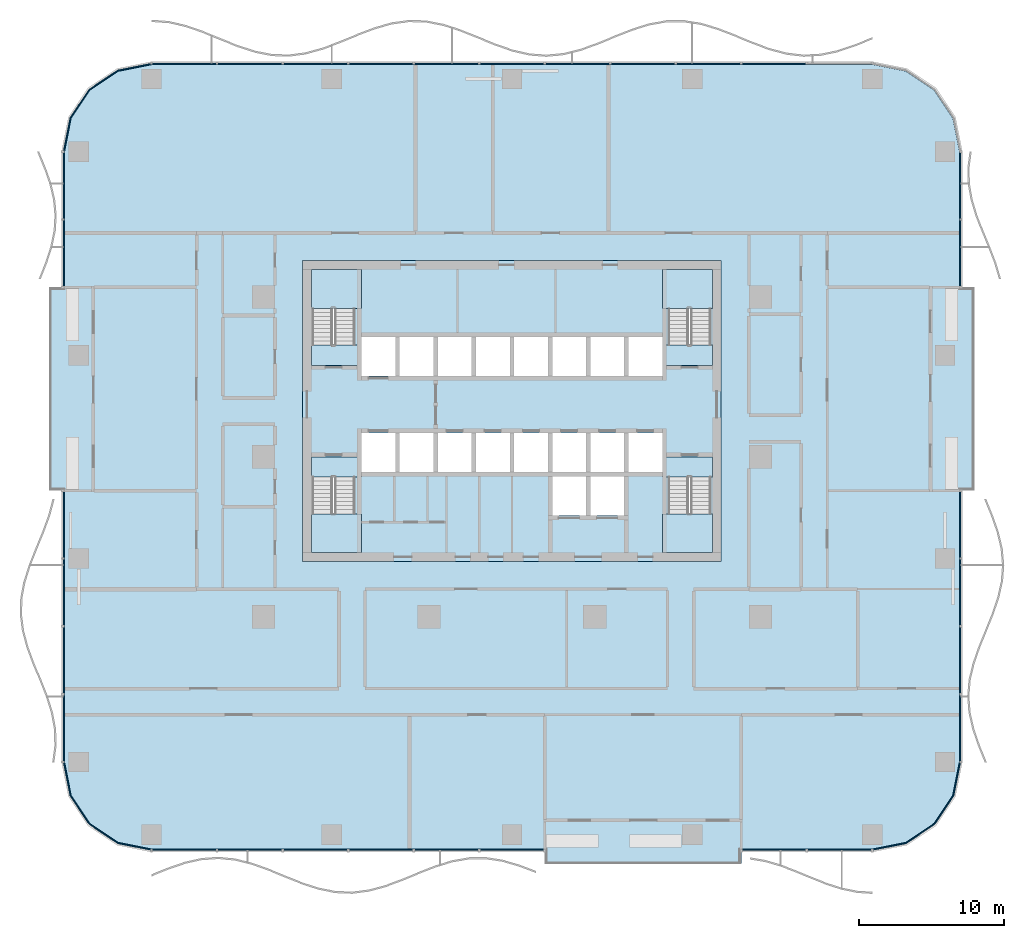
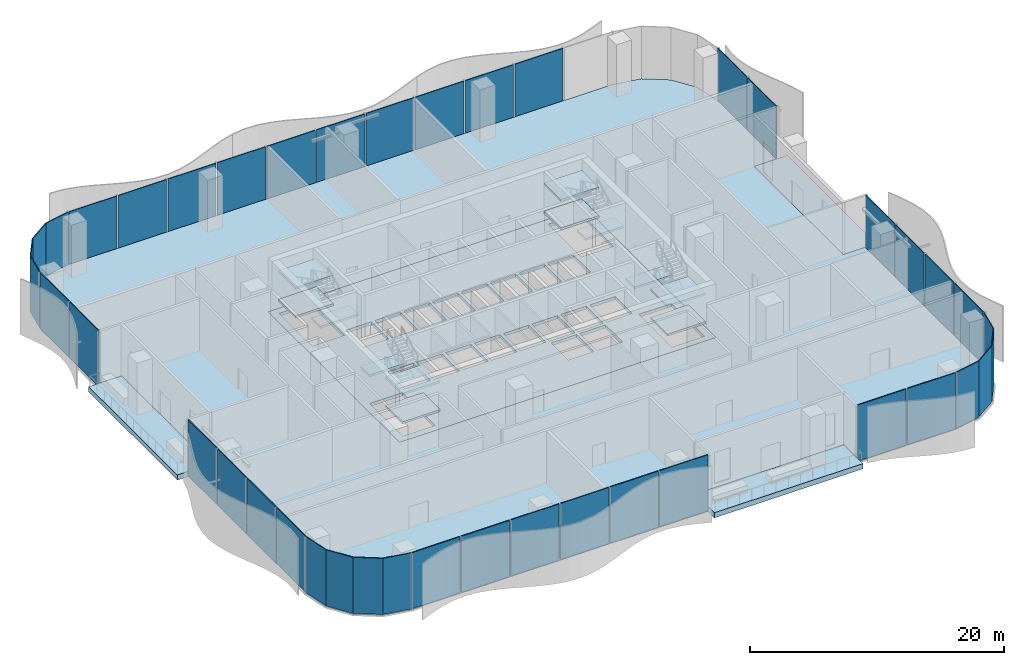
# One storey, part 6 of 20: 33 plates, 17 slabs, 14 elements without a shape of their own.
"""IFC4 building model written with IfcOpenShell, lengths in metres."""

import ifcopenshell
import ifcopenshell.guid

model = None  # the IFC model being written
_history = None  # IfcOwnerHistory: only IFC2X3 demands one
_inside = {}  # id of a spatial element -> (the spatial element, [elements in it])
_under = {}  # id of a project, library or spatial element -> (it, [spatial elements below it])
_declared = {}  # id of a project -> (the project, [libraries it declares])
_typed = {}  # id of a type object -> (the type object, [elements of that type])
_made_of = {}  # id of a material, layer set ... -> (it, [elements and type objects made of it])


def new_model(schema):
    """Start an empty IFC model of exactly this schema.

    Asked for "IFC4X3", IfcOpenShell would pick the latest addendum, in which some entities
    have other attributes; the version numbers below select the first issue.
    IFC2X3 requires an IfcOwnerHistory on every rooted entity: one is made here for all.
    """
    global model, _history
    if schema == "IFC4X3":
        model = ifcopenshell.file(schema_version=(4, 3, 0, 0))
    else:
        model = ifcopenshell.file(schema=schema)
    _inside.clear()
    _under.clear()
    _declared.clear()
    _typed.clear()
    _made_of.clear()
    _history = None
    if model.schema == "IFC2X3":
        org = make("IfcOrganization", Name="unknown")
        user = make(
            "IfcPersonAndOrganization",
            ThePerson=make("IfcPerson", FamilyName="unknown"),
            TheOrganization=org,
        )
        app = make(
            "IfcApplication",
            ApplicationDeveloper=org,
            Version="unknown",
            ApplicationFullName="unknown",
            ApplicationIdentifier="unknown",
        )
        _history = make(
            "IfcOwnerHistory",
            OwningUser=user,
            OwningApplication=app,
            ChangeAction="ADDED",
            CreationDate=0,
        )
    return model


def make(cls, **values):
    """One entity of the class cls with the attributes given. An attribute that is None is left unset."""
    return model.create_entity(
        cls, **{name: value for name, value in values.items() if value is not None}
    )


def rooted(cls, **values):
    """An entity with a GlobalId (a new one), such as an element, a storey or a relation."""
    return make(cls, GlobalId=ifcopenshell.guid.new(), OwnerHistory=_history, **values)


def si_unit(unit_type, name, prefix=None):
    """IfcSIUnit, for example si_unit("LENGTHUNIT", "METRE", prefix="MILLI")."""
    return make("IfcSIUnit", UnitType=unit_type, Prefix=prefix, Name=name)


def assignment(units):
    """IfcUnitAssignment: the units of a project."""
    return None if units is None else make("IfcUnitAssignment", Units=units)


def point(xyz):
    """IfcCartesianPoint."""
    return None if xyz is None else make("IfcCartesianPoint", Coordinates=xyz)


def direction(xyz):
    """IfcDirection."""
    return None if xyz is None else make("IfcDirection", DirectionRatios=xyz)


def frame(location, z_axis=None, x_axis=None):
    """IfcAxis2Placement3D, a coordinate frame: its origin and axes. An axis left out is left unset."""
    return make(
        "IfcAxis2Placement3D",
        Location=point(location),
        Axis=direction(z_axis),
        RefDirection=direction(x_axis),
    )


def frame_2d(location, x_axis=None):
    """IfcAxis2Placement2D, a coordinate frame in the plane: its origin and x axis."""
    return make(
        "IfcAxis2Placement2D", Location=point(location), RefDirection=direction(x_axis)
    )


def origin():
    """The frame at (0, 0, 0) with its axes left unset."""
    return frame((0.0, 0.0, 0.0))


def origin_2d():
    """The frame at (0, 0) in the plane with its x axis left unset."""
    return frame_2d((0.0, 0.0))


def place(relative_to, where):
    """IfcLocalPlacement: puts the frame where relative to a parent placement (None: the world)."""
    return make(
        "IfcLocalPlacement", PlacementRelTo=relative_to, RelativePlacement=where
    )


def context(
    kind, dimensions, precision=None, world=None, true_north=None, identifier=None
):
    """IfcGeometricRepresentationContext, for example the 3D "Model" context."""
    return make(
        "IfcGeometricRepresentationContext",
        ContextIdentifier=identifier,
        ContextType=kind,
        CoordinateSpaceDimension=dimensions,
        Precision=precision,
        WorldCoordinateSystem=world,
        TrueNorth=true_north,
    )


def subcontext(parent, identifier, kind, view, scale=None):
    """IfcGeometricRepresentationSubContext, for example "Body" below "Model"."""
    return make(
        "IfcGeometricRepresentationSubContext",
        ContextIdentifier=identifier,
        ContextType=kind,
        ParentContext=parent,
        TargetScale=scale,
        TargetView=view,
    )


def project(units=None, contexts=None):
    """IfcProject with its units and contexts."""
    return rooted(
        "IfcProject",
        Name="project",
        RepresentationContexts=contexts,
        UnitsInContext=assignment(units),
    )


def spatial(cls, under=None, at=None, **own):
    """A site, building, storey or space (cls), placed at a placement, below another one or the project."""
    s = rooted(cls, ObjectPlacement=at, **own)
    if under is not None:
        _under.setdefault(under.id(), (under, []))[1].append(s)
    return s


def polyline(points):
    """IfcPolyline through the points."""
    return make("IfcPolyline", Points=[point(p) for p in points])


def profile(cls, at=None, kind="AREA", **sizes):
    """A parametric profile (cls). Its sizes go by their IFC names, for example OverallWidth=200.0."""
    return make(cls, ProfileType=kind, Position=at, **sizes)


def rectangle(**sizes):
    """IfcRectangleProfileDef."""
    return profile("IfcRectangleProfileDef", **sizes)


def outline(outer, holes=None, kind="AREA"):
    """IfcArbitraryClosedProfileDef: a profile drawn as a closed curve; with holes, ...WithVoids."""
    if holes is None:
        return make("IfcArbitraryClosedProfileDef", ProfileType=kind, OuterCurve=outer)
    return make(
        "IfcArbitraryProfileDefWithVoids",
        ProfileType=kind,
        OuterCurve=outer,
        InnerCurves=holes,
    )


def extrude(swept, where, along, depth):
    """IfcExtrudedAreaSolid: the profile swept, set in the frame where, extruded along a direction by depth."""
    return make(
        "IfcExtrudedAreaSolid",
        SweptArea=swept,
        Position=where,
        ExtrudedDirection=direction(along),
        Depth=depth,
    )


def shape(context_of_items, identifier, shape_type, items):
    """IfcShapeRepresentation: the items that make up one representation, for example the "Body"."""
    return make(
        "IfcShapeRepresentation",
        ContextOfItems=context_of_items,
        RepresentationIdentifier=identifier,
        RepresentationType=shape_type,
        Items=items,
    )


def material(Name=None, Category=None):
    """IfcMaterial."""
    return make("IfcMaterial", Name=Name, Category=Category)


def layer(
    of_material, thickness, ventilated=None, Name=None, Category=None, Priority=None
):
    """IfcMaterialLayer: one layer of a wall or slab, of a material (None: an air gap)."""
    return make(
        "IfcMaterialLayer",
        Material=of_material,
        LayerThickness=thickness,
        IsVentilated=ventilated,
        Name=Name,
        Category=Category,
        Priority=Priority,
    )


def layer_set(layers, Name=None):
    """IfcMaterialLayerSet."""
    return make("IfcMaterialLayerSet", MaterialLayers=layers, LayerSetName=Name)


def made_of(thing, what):
    """Note that an element or type object is made of a material, layer set ...; save() writes the relation."""
    if what is not None:
        _made_of.setdefault(what.id(), (what, []))[1].append(thing)
    return thing


def type_object(cls, material=None, **own):
    """A type object (cls), such as IfcWallType, which elements share."""
    return made_of(rooted(cls, **own), material)


def element(
    cls,
    number,
    at=None,
    inside=None,
    cuts=None,
    type_object=None,
    material=None,
    context=None,
    identifier="Body",
    shape_type=None,
    held_by="IfcProductDefinitionShape",
    body=None,
    shapes=None,
    **own,
):
    """One element of the class cls, such as IfcWall. Its Tag is "e" and its number.

    at: its placement. inside: the storey or other place that contains it. cuts: it is an
    opening in that element (IfcRelVoidsElement). A single representation is given by context,
    identifier, shape_type and body (its items); several are given by shapes. held_by: the class
    of the entity that holds the representations. save() writes the other relations.
    """
    e = rooted(cls, Tag="e%d" % number, ObjectPlacement=at, **own)
    if body is not None:
        shapes = [shape(context, identifier, shape_type, body)]
    if shapes is not None:
        e.Representation = make(held_by, Representations=shapes)
    if inside is not None:
        _inside.setdefault(inside.id(), (inside, []))[1].append(e)
    if cuts is not None:
        rooted(
            "IfcRelVoidsElement", RelatingBuildingElement=cuts, RelatedOpeningElement=e
        )
    if type_object is not None:
        _typed.setdefault(type_object.id(), (type_object, []))[1].append(e)
    return made_of(e, material)


def aggregate(whole, parts):
    """IfcRelAggregates: a whole, such as a stair, and the parts it consists of."""
    return rooted("IfcRelAggregates", RelatingObject=whole, RelatedObjects=parts)


def save(model, path):
    """Write the relations noted so far, then the file.

    IfcRelAggregates (storeys below a building ...), IfcRelContainedInSpatialStructure (elements
    in a storey), IfcRelDefinesByType, IfcRelAssociatesMaterial and IfcRelDeclares: one each for
    every whole, place, type object, material and project.
    """
    for whole, parts in _under.values():
        aggregate(whole, parts)
    for where, things in _inside.values():
        rooted(
            "IfcRelContainedInSpatialStructure",
            RelatedElements=things,
            RelatingStructure=where,
        )
    for kind, things in _typed.values():
        rooted("IfcRelDefinesByType", RelatedObjects=things, RelatingType=kind)
    for what, things in _made_of.values():
        rooted("IfcRelAssociatesMaterial", RelatedObjects=things, RelatingMaterial=what)
    for by, libraries in _declared.values():
        rooted("IfcRelDeclares", RelatingContext=by, RelatedDefinitions=libraries)
    model.write(path)


model = new_model("IFC4")

# Units and contexts
model_context = context("Model", 3, precision=1e-05, world=origin(), true_north=direction((0.0, 1.0)))
body_context = subcontext(model_context, "Body", "Model", "MODEL_VIEW")
ifc_project = project(units=[si_unit("LENGTHUNIT", "METRE"), si_unit("AREAUNIT", "SQUARE_METRE"), si_unit("VOLUMEUNIT", "CUBIC_METRE"), si_unit("PLANEANGLEUNIT", "RADIAN"), si_unit("MASSUNIT", "GRAM", prefix="KILO")], contexts=[model_context])

# Site, building, storey
site_placement = place(None, origin())
site = spatial("IfcSite", under=ifc_project, at=site_placement, CompositionType="ELEMENT")
building_placement = place(site_placement, origin())
building = spatial("IfcBuilding", under=site, at=building_placement, Name="Mopane Tessera Tower", CompositionType="ELEMENT")
storey_placement = place(building_placement, frame((0.0, 0.0, 25.5)))
storey = spatial("IfcBuildingStorey", under=building, at=storey_placement, Name="L04", CompositionType="ELEMENT", Elevation=25.5)

# Slab
ifc_material_1 = material(Name="Concrete C40/50", Category="concrete")
ifc_layer_1 = layer(ifc_material_1, 0.300048828125)
ifc_layer_set_1 = layer_set([ifc_layer_1], Name="Concrete C40/50")
slab_type_1 = type_object("IfcSlabType", Name="Core floor slab 300 mm", PredefinedType="FLOOR", material=ifc_layer_set_1)
slab_1_placement = place(storey_placement, frame((0.0, 0.0, -0.300048828125)))
element("IfcSlab", 1, at=slab_1_placement, inside=storey, type_object=slab_type_1, Name="L04 core floor slab", PredefinedType="FLOOR", context=body_context, shape_type="SweptSolid", body=[
    extrude(outline(polyline([(-14.39990234375, -7.199951171875), (14.39990234375, -7.199951171875), (14.39990234375, 13.5), (-14.39990234375, 13.5), (-14.39990234375, -7.199951171875)]), holes=[polyline([(-10.35009765625, -1.050048828125), (-8.02490234375, -1.050048828125), (-8.02490234375, 1.64990234375), (-10.35009765625, 1.64990234375), (-10.35009765625, -1.050048828125)]), polyline([(-7.72509765625, -1.050048828125), (-5.39990234375, -1.050048828125), (-5.39990234375, 1.64990234375), (-7.72509765625, 1.64990234375), (-7.72509765625, -1.050048828125)]), polyline([(-5.10009765625, -1.050048828125), (-2.77490234375, -1.050048828125), (-2.77490234375, 1.64990234375), (-5.10009765625, 1.64990234375), (-5.10009765625, -1.050048828125)]), polyline([(-2.47509765625, -1.050048828125), (-0.14990234375, -1.050048828125), (-0.14990234375, 1.64990234375), (-2.47509765625, 1.64990234375), (-2.47509765625, -1.050048828125)]), polyline([(0.14990234375, -1.050048828125), (2.47509765625, -1.050048828125), (2.47509765625, 1.64990234375), (0.14990234375, 1.64990234375), (0.14990234375, -1.050048828125)]), polyline([(2.77490234375, -1.050048828125), (5.10009765625, -1.050048828125), (5.10009765625, 1.64990234375), (2.77490234375, 1.64990234375), (2.77490234375, -1.050048828125)]), polyline([(5.39990234375, -1.050048828125), (7.72509765625, -1.050048828125), (7.72509765625, 1.64990234375), (5.39990234375, 1.64990234375), (5.39990234375, -1.050048828125)]), polyline([(8.02490234375, -1.050048828125), (10.35009765625, -1.050048828125), (10.35009765625, 1.64990234375), (8.02490234375, 1.64990234375), (8.02490234375, -1.050048828125)]), polyline([(-10.35009765625, 5.550048828125), (-8.02490234375, 5.550048828125), (-8.02490234375, 8.25), (-10.35009765625, 8.25), (-10.35009765625, 5.550048828125)]), polyline([(-7.72509765625, 5.550048828125), (-5.39990234375, 5.550048828125), (-5.39990234375, 8.25), (-7.72509765625, 8.25), (-7.72509765625, 5.550048828125)]), polyline([(-5.10009765625, 5.550048828125), (-2.77490234375, 5.550048828125), (-2.77490234375, 8.25), (-5.10009765625, 8.25), (-5.10009765625, 5.550048828125)]), polyline([(-2.47509765625, 5.550048828125), (-0.14990234375, 5.550048828125), (-0.14990234375, 8.25), (-2.47509765625, 8.25), (-2.47509765625, 5.550048828125)]), polyline([(0.14990234375, 5.550048828125), (2.47509765625, 5.550048828125), (2.47509765625, 8.25), (0.14990234375, 8.25), (0.14990234375, 5.550048828125)]), polyline([(2.77490234375, 5.550048828125), (5.10009765625, 5.550048828125), (5.10009765625, 8.25), (2.77490234375, 8.25), (2.77490234375, 5.550048828125)]), polyline([(5.39990234375, 5.550048828125), (7.72509765625, 5.550048828125), (7.72509765625, 8.25), (5.39990234375, 8.25), (5.39990234375, 5.550048828125)]), polyline([(8.02490234375, 5.550048828125), (10.35009765625, 5.550048828125), (10.35009765625, 8.25), (8.02490234375, 8.25), (8.02490234375, 5.550048828125)]), polyline([(2.77490234375, -4.050048828125), (5.10009765625, -4.050048828125), (5.10009765625, -1.35009765625), (2.77490234375, -1.35009765625), (2.77490234375, -4.050048828125)]), polyline([(5.39990234375, -4.050048828125), (7.72509765625, -4.050048828125), (7.72509765625, -1.35009765625), (5.39990234375, -1.35009765625), (5.39990234375, -4.050048828125)]), polyline([(-13.75, -1.405029296875), (-13.75, -6.60009765625), (-10.800048828125, -6.60009765625), (-10.800048828125, -1.405029296875), (-13.75, -1.405029296875)]), polyline([(-10.800048828125, 7.705078125), (-10.800048828125, 12.89990234375), (-13.75, 12.89990234375), (-13.75, 7.705078125), (-10.800048828125, 7.705078125)]), polyline([(10.75, -1.405029296875), (10.75, -6.60009765625), (13.699951171875, -6.60009765625), (13.699951171875, -1.405029296875), (10.75, -1.405029296875)]), polyline([(13.699951171875, 7.705078125), (13.699951171875, 12.89990234375), (10.75, 12.89990234375), (10.75, 7.705078125), (13.699951171875, 7.705078125)])]), origin(), (0.0, 0.0, 1.0), 0.300048828125),
])

# Stair, slabs
ifc_material_2 = material(Name="Concrete C50/60", Category="concrete")
stair_type = type_object("IfcStairType", Name="Escape stair 1400 mm, riser 138 mm", PredefinedType="HALF_TURN_STAIR", material=ifc_material_2)
stair_1_placement = place(storey_placement, origin())
stair_1 = element("IfcStair", 2, at=stair_1_placement, inside=storey, type_object=stair_type, Name="L04 Escape stair south-west", PredefinedType="HALF_TURN_STAIR")
ifc_material_3 = material(Name="Concrete C50/60", Category="concrete")
ifc_layer_2 = layer(ifc_material_3, 0.199951171875)
ifc_layer_set_2 = layer_set([ifc_layer_2], Name="Concrete C50/60")
slab_type_2 = type_object("IfcSlabType", Name="Escape stair landing 200 mm", PredefinedType="LANDING", material=ifc_layer_set_2)
slab_2_placement = place(storey_placement, frame((0.0, 0.0, 1.175048828125)))
slab_2 = element("IfcSlab", 3, at=slab_2_placement, type_object=slab_type_2, Name="ST1 landing 1", PredefinedType="LANDING", context=body_context, shape_type="SweptSolid", body=[
    extrude(outline(polyline([(-13.800048828125, -3.919921875), (-13.800048828125, -6.60009765625), (-10.35009765625, -6.60009765625), (-10.35009765625, -3.919921875), (-13.800048828125, -3.919921875)])), origin(), (0.0, 0.0, 1.0), 0.199951171875),
])
slab_3_placement = place(storey_placement, frame((0.0, 0.0, 2.550048828125)))
slab_3 = element("IfcSlab", 4, at=slab_3_placement, type_object=slab_type_2, Name="ST1 landing 2", PredefinedType="LANDING", context=body_context, shape_type="SweptSolid", body=[
    extrude(outline(polyline([(-13.800048828125, 0.0), (-13.800048828125, -1.39990234375), (-10.35009765625, -1.39990234375), (-10.35009765625, 0.0), (-13.800048828125, 0.0)])), origin(), (0.0, 0.0, 1.0), 0.199951171875),
])
slab_4_placement = place(storey_placement, frame((0.0, 0.0, 3.925048828125)))
slab_4 = element("IfcSlab", 5, at=slab_4_placement, type_object=slab_type_2, Name="ST1 landing 3", PredefinedType="LANDING", context=body_context, shape_type="SweptSolid", body=[
    extrude(outline(polyline([(-13.800048828125, -3.919921875), (-13.800048828125, -6.60009765625), (-10.35009765625, -6.60009765625), (-10.35009765625, -3.919921875), (-13.800048828125, -3.919921875)])), origin(), (0.0, 0.0, 1.0), 0.199951171875),
])
aggregate(stair_1, [slab_2, slab_3, slab_4])

stair_2_placement = place(storey_placement, origin())
stair_2 = element("IfcStair", 6, at=stair_2_placement, inside=storey, type_object=stair_type, Name="L04 Escape stair north-west", PredefinedType="HALF_TURN_STAIR")
slab_5_placement = place(storey_placement, frame((0.0, 0.0, 1.175048828125)))
slab_5 = element("IfcSlab", 7, at=slab_5_placement, type_object=slab_type_2, Name="ST2 landing 1", PredefinedType="LANDING", context=body_context, shape_type="SweptSolid", body=[
    extrude(outline(polyline([(-10.35009765625, 10.219970703125), (-10.35009765625, 12.89990234375), (-13.800048828125, 12.89990234375), (-13.800048828125, 10.219970703125), (-10.35009765625, 10.219970703125)])), origin(), (0.0, 0.0, 1.0), 0.199951171875),
])
slab_6_placement = place(storey_placement, frame((0.0, 0.0, 2.550048828125)))
slab_6 = element("IfcSlab", 8, at=slab_6_placement, type_object=slab_type_2, Name="ST2 landing 2", PredefinedType="LANDING", context=body_context, shape_type="SweptSolid", body=[
    extrude(outline(polyline([(-10.35009765625, 6.300048828125), (-10.35009765625, 7.699951171875), (-13.800048828125, 7.699951171875), (-13.800048828125, 6.300048828125), (-10.35009765625, 6.300048828125)])), origin(), (0.0, 0.0, 1.0), 0.199951171875),
])
slab_7_placement = place(storey_placement, frame((0.0, 0.0, 3.925048828125)))
slab_7 = element("IfcSlab", 9, at=slab_7_placement, type_object=slab_type_2, Name="ST2 landing 3", PredefinedType="LANDING", context=body_context, shape_type="SweptSolid", body=[
    extrude(outline(polyline([(-10.35009765625, 10.219970703125), (-10.35009765625, 12.89990234375), (-13.800048828125, 12.89990234375), (-13.800048828125, 10.219970703125), (-10.35009765625, 10.219970703125)])), origin(), (0.0, 0.0, 1.0), 0.199951171875),
])
aggregate(stair_2, [slab_5, slab_6, slab_7])

stair_3_placement = place(storey_placement, origin())
stair_3 = element("IfcStair", 10, at=stair_3_placement, inside=storey, type_object=stair_type, Name="L04 Escape stair south-east", PredefinedType="HALF_TURN_STAIR")
slab_8_placement = place(storey_placement, frame((0.0, 0.0, 1.175048828125)))
slab_8 = element("IfcSlab", 11, at=slab_8_placement, type_object=slab_type_2, Name="ST3 landing 1", PredefinedType="LANDING", context=body_context, shape_type="SweptSolid", body=[
    extrude(outline(polyline([(10.35009765625, -3.919921875), (10.35009765625, -6.60009765625), (13.800048828125, -6.60009765625), (13.800048828125, -3.919921875), (10.35009765625, -3.919921875)])), origin(), (0.0, 0.0, 1.0), 0.199951171875),
])
slab_9_placement = place(storey_placement, frame((0.0, 0.0, 2.550048828125)))
slab_9 = element("IfcSlab", 12, at=slab_9_placement, type_object=slab_type_2, Name="ST3 landing 2", PredefinedType="LANDING", context=body_context, shape_type="SweptSolid", body=[
    extrude(outline(polyline([(10.35009765625, 0.0), (10.35009765625, -1.39990234375), (13.800048828125, -1.39990234375), (13.800048828125, 0.0), (10.35009765625, 0.0)])), origin(), (0.0, 0.0, 1.0), 0.199951171875),
])
slab_10_placement = place(storey_placement, frame((0.0, 0.0, 3.925048828125)))
slab_10 = element("IfcSlab", 13, at=slab_10_placement, type_object=slab_type_2, Name="ST3 landing 3", PredefinedType="LANDING", context=body_context, shape_type="SweptSolid", body=[
    extrude(outline(polyline([(10.35009765625, -3.919921875), (10.35009765625, -6.60009765625), (13.800048828125, -6.60009765625), (13.800048828125, -3.919921875), (10.35009765625, -3.919921875)])), origin(), (0.0, 0.0, 1.0), 0.199951171875),
])
aggregate(stair_3, [slab_8, slab_9, slab_10])

stair_4_placement = place(storey_placement, origin())
stair_4 = element("IfcStair", 14, at=stair_4_placement, inside=storey, type_object=stair_type, Name="L04 Escape stair north-east", PredefinedType="HALF_TURN_STAIR")
slab_11_placement = place(storey_placement, frame((0.0, 0.0, 1.175048828125)))
slab_11 = element("IfcSlab", 15, at=slab_11_placement, type_object=slab_type_2, Name="ST4 landing 1", PredefinedType="LANDING", context=body_context, shape_type="SweptSolid", body=[
    extrude(outline(polyline([(13.800048828125, 10.219970703125), (13.800048828125, 12.89990234375), (10.35009765625, 12.89990234375), (10.35009765625, 10.219970703125), (13.800048828125, 10.219970703125)])), origin(), (0.0, 0.0, 1.0), 0.199951171875),
])
slab_12_placement = place(storey_placement, frame((0.0, 0.0, 2.550048828125)))
slab_12 = element("IfcSlab", 16, at=slab_12_placement, type_object=slab_type_2, Name="ST4 landing 2", PredefinedType="LANDING", context=body_context, shape_type="SweptSolid", body=[
    extrude(outline(polyline([(13.800048828125, 6.300048828125), (13.800048828125, 7.699951171875), (10.35009765625, 7.699951171875), (10.35009765625, 6.300048828125), (13.800048828125, 6.300048828125)])), origin(), (0.0, 0.0, 1.0), 0.199951171875),
])
slab_13_placement = place(storey_placement, frame((0.0, 0.0, 3.925048828125)))
slab_13 = element("IfcSlab", 17, at=slab_13_placement, type_object=slab_type_2, Name="ST4 landing 3", PredefinedType="LANDING", context=body_context, shape_type="SweptSolid", body=[
    extrude(outline(polyline([(13.800048828125, 10.219970703125), (13.800048828125, 12.89990234375), (10.35009765625, 12.89990234375), (10.35009765625, 10.219970703125), (13.800048828125, 10.219970703125)])), origin(), (0.0, 0.0, 1.0), 0.199951171875),
])
aggregate(stair_4, [slab_11, slab_12, slab_13])

# Slabs
ifc_material_4 = material(Name="Concrete C40/50", Category="concrete")
ifc_layer_3 = layer(ifc_material_4, 0.5)
ifc_layer_set_3 = layer_set([ifc_layer_3], Name="Concrete C40/50")
slab_type_3 = type_object("IfcSlabType", Name="Planted terrace slab 500 mm", PredefinedType="FLOOR", material=ifc_layer_set_3)
slab_14_placement = place(storey_placement, frame((0.0, 0.0, -0.5)))
element("IfcSlab", 18, at=slab_14_placement, inside=storey, type_object=slab_type_3, Name="Terrace slab N1 L04", PredefinedType="FLOOR", context=body_context, shape_type="SweptSolid", body=[
    extrude(outline(polyline([(15.78173828125, -28.0), (15.78173828125, -25.0), (2.254638671875, -25.0), (2.254638671875, -28.0), (15.78173828125, -28.0)])), origin(), (0.0, 0.0, 1.0), 0.5),
])
slab_15_placement = place(storey_placement, frame((0.0, 0.0, -0.5)))
element("IfcSlab", 19, at=slab_15_placement, inside=storey, type_object=slab_type_3, Name="Terrace slab N2 L04", PredefinedType="FLOOR", context=body_context, shape_type="SweptSolid", body=[
    extrude(outline(polyline([(31.800048828125, 11.666748046875), (28.800048828125, 11.666748046875), (28.800048828125, -2.333251953125), (31.800048828125, -2.333251953125), (31.800048828125, 11.666748046875)])), origin(), (0.0, 0.0, 1.0), 0.5),
])
slab_16_placement = place(storey_placement, frame((0.0, 0.0, -0.5)))
element("IfcSlab", 20, at=slab_16_placement, inside=storey, type_object=slab_type_3, Name="Terrace slab N3 L04", PredefinedType="FLOOR", context=body_context, shape_type="SweptSolid", body=[
    extrude(outline(polyline([(-31.800048828125, -2.333251953125), (-28.800048828125, -2.333251953125), (-28.800048828125, 11.666748046875), (-31.800048828125, 11.666748046875), (-31.800048828125, -2.333251953125)])), origin(), (0.0, 0.0, 1.0), 0.5),
])

# Curtain wall, plates
ifc_material_5 = material(Name="Aluminium frame", Category="aluminium")
curtain_wall_type = type_object("IfcCurtainWallType", Name="Podium unitised wall", PredefinedType="NOTDEFINED", material=ifc_material_5)
curtain_wall_1_placement = place(storey_placement, origin())
curtain_wall_1 = element("IfcCurtainWall", 21, at=curtain_wall_1_placement, inside=storey, type_object=curtain_wall_type, Name="e:cw:L04:S:0", PredefinedType="NOTDEFINED")
ifc_material_6 = material(Name="Limestone spandrel", Category="masonry")
ifc_layer_4 = layer(ifc_material_6, 0.080078125)
ifc_layer_set_4 = layer_set([ifc_layer_4], Name="Limestone spandrel")
plate_type = type_object("IfcPlateType", Name="Podium stone spandrel unit", PredefinedType="CURTAIN_PANEL", material=ifc_layer_set_4)
plate_1_placement = place(storey_placement, frame((-22.54541015625, -27.0400390625, -0.33984375), z_axis=(0.0, 0.0, 1.0), x_axis=(1.0, 0.0, 0.0)))
plate_1 = element("IfcPlate", 22, at=plate_1_placement, type_object=plate_type, Name="e:cw:L04:S:0:pn0", PredefinedType="CURTAIN_PANEL", context=body_context, shape_type="SweptSolid", body=[
    extrude(rectangle(XDim=4.384033203125, YDim=0.080078125, at=origin_2d()), origin(), (0.0, 0.0, 1.0), 5.389892578125),
])
plate_2_placement = place(storey_placement, frame((-18.036376953125, -27.0400390625, -0.33984375), z_axis=(0.0, 0.0, 1.0), x_axis=(1.0, 0.0, 0.0)))
plate_2 = element("IfcPlate", 23, at=plate_2_placement, type_object=plate_type, Name="e:cw:L04:S:0:pn1", PredefinedType="CURTAIN_PANEL", context=body_context, shape_type="SweptSolid", body=[
    extrude(rectangle(XDim=4.384033203125, YDim=0.080078125, at=origin_2d()), origin(), (0.0, 0.0, 1.0), 5.389892578125),
])
plate_3_placement = place(storey_placement, frame((-13.52734375, -27.0400390625, -0.33984375), z_axis=(0.0, 0.0, 1.0), x_axis=(1.0, 0.0, 0.0)))
plate_3 = element("IfcPlate", 24, at=plate_3_placement, type_object=plate_type, Name="e:cw:L04:S:0:pn2", PredefinedType="CURTAIN_PANEL", context=body_context, shape_type="SweptSolid", body=[
    extrude(rectangle(XDim=4.384033203125, YDim=0.080078125, at=origin_2d()), origin(), (0.0, 0.0, 1.0), 5.389892578125),
])
plate_4_placement = place(storey_placement, frame((-9.01806640625, -27.0400390625, -0.33984375), z_axis=(0.0, 0.0, 1.0), x_axis=(1.0, 0.0, 0.0)))
plate_4 = element("IfcPlate", 25, at=plate_4_placement, type_object=plate_type, Name="e:cw:L04:S:0:pn3", PredefinedType="CURTAIN_PANEL", context=body_context, shape_type="SweptSolid", body=[
    extrude(rectangle(XDim=4.384033203125, YDim=0.080078125, at=origin_2d()), origin(), (0.0, 0.0, 1.0), 5.389892578125),
])
plate_5_placement = place(storey_placement, frame((-4.509033203125, -27.0400390625, -0.33984375), z_axis=(0.0, 0.0, 1.0), x_axis=(1.0, 0.0, 0.0)))
plate_5 = element("IfcPlate", 26, at=plate_5_placement, type_object=plate_type, Name="e:cw:L04:S:0:pn4", PredefinedType="CURTAIN_PANEL", context=body_context, shape_type="SweptSolid", body=[
    extrude(rectangle(XDim=4.384033203125, YDim=0.080078125, at=origin_2d()), origin(), (0.0, 0.0, 1.0), 5.389892578125),
])
plate_6_placement = place(storey_placement, frame((0.0, -27.0400390625, -0.33984375), z_axis=(0.0, 0.0, 1.0), x_axis=(1.0, 0.0, 0.0)))
plate_6 = element("IfcPlate", 27, at=plate_6_placement, type_object=plate_type, Name="e:cw:L04:S:0:pn5", PredefinedType="CURTAIN_PANEL", context=body_context, shape_type="SweptSolid", body=[
    extrude(rectangle(XDim=4.384033203125, YDim=0.080078125, at=origin_2d()), origin(), (0.0, 0.0, 1.0), 5.389892578125),
])
aggregate(curtain_wall_1, [plate_1, plate_2, plate_3, plate_4, plate_5, plate_6])

curtain_wall_2_placement = place(storey_placement, origin())
curtain_wall_2 = element("IfcCurtainWall", 28, at=curtain_wall_2_placement, inside=storey, type_object=curtain_wall_type, Name="e:cw:L04:S:9", PredefinedType="NOTDEFINED")
plate_7_placement = place(storey_placement, frame((18.036376953125, -27.0400390625, -0.33984375), z_axis=(0.0, 0.0, 1.0), x_axis=(1.0, 0.0, 0.0)))
plate_7 = element("IfcPlate", 29, at=plate_7_placement, type_object=plate_type, Name="e:cw:L04:S:9:pn9", PredefinedType="CURTAIN_PANEL", context=body_context, shape_type="SweptSolid", body=[
    extrude(rectangle(XDim=4.384033203125, YDim=0.080078125, at=origin_2d()), origin(), (0.0, 0.0, 1.0), 5.389892578125),
])
plate_8_placement = place(storey_placement, frame((22.54541015625, -27.0400390625, -0.33984375), z_axis=(0.0, 0.0, 1.0), x_axis=(1.0, 0.0, 0.0)))
plate_8 = element("IfcPlate", 30, at=plate_8_placement, type_object=plate_type, Name="e:cw:L04:S:9:pn10", PredefinedType="CURTAIN_PANEL", context=body_context, shape_type="SweptSolid", body=[
    extrude(rectangle(XDim=4.384033203125, YDim=0.080078125, at=origin_2d()), origin(), (0.0, 0.0, 1.0), 5.389892578125),
])
aggregate(curtain_wall_2, [plate_7, plate_8])

# Curtain wall, plate
curtain_wall_3_placement = place(storey_placement, origin())
curtain_wall_3 = element("IfcCurtainWall", 31, at=curtain_wall_3_placement, inside=storey, type_object=curtain_wall_type, Name="e:cw:L04:CS", PredefinedType="NOTDEFINED")
plate_9_placement = place(storey_placement, frame((0.0, 0.0, -0.340087890625)))
plate_9 = element("IfcPlate", 32, at=plate_9_placement, type_object=plate_type, Name="e:cw:L04:CS:pn", PredefinedType="CURTAIN_PANEL", context=body_context, shape_type="SweptSolid", body=[
    extrude(outline(polyline([(24.800048828125, -27.0), (27.09619140625, -26.543212890625), (29.042724609375, -25.24267578125), (30.34326171875, -23.296142578125), (30.800048828125, -21.0), (30.8798828125, -21.0), (30.417236328125, -23.32666015625), (29.09912109375, -25.29931640625), (27.126708984375, -26.6171875), (24.800048828125, -27.080078125), (24.800048828125, -27.0)])), origin(), (0.0, 0.0, 1.0), 5.39013671875),
])
aggregate(curtain_wall_3, [plate_9])

# Curtain wall, plates
curtain_wall_4_placement = place(storey_placement, origin())
curtain_wall_4 = element("IfcCurtainWall", 33, at=curtain_wall_4_placement, inside=storey, type_object=curtain_wall_type, Name="e:cw:L04:E:0", PredefinedType="NOTDEFINED")
plate_10_placement = place(storey_placement, frame((30.840087890625, -18.666748046875, -0.33984375), z_axis=(0.0, 0.0, 1.0), x_axis=(0.0, 1.0, 0.0)))
plate_10 = element("IfcPlate", 34, at=plate_10_placement, type_object=plate_type, Name="e:cw:L04:E:0:pn0", PredefinedType="CURTAIN_PANEL", context=body_context, shape_type="SweptSolid", body=[
    extrude(rectangle(XDim=4.541748046875, YDim=0.080078125, at=origin_2d()), origin(), (0.0, 0.0, 1.0), 5.389892578125),
])
plate_11_placement = place(storey_placement, frame((30.840087890625, -14.0, -0.33984375), z_axis=(0.0, 0.0, 1.0), x_axis=(0.0, 1.0, 0.0)))
plate_11 = element("IfcPlate", 35, at=plate_11_placement, type_object=plate_type, Name="e:cw:L04:E:0:pn1", PredefinedType="CURTAIN_PANEL", context=body_context, shape_type="SweptSolid", body=[
    extrude(rectangle(XDim=4.541748046875, YDim=0.080078125, at=origin_2d()), origin(), (0.0, 0.0, 1.0), 5.389892578125),
])
plate_12_placement = place(storey_placement, frame((30.840087890625, -9.333251953125, -0.33984375), z_axis=(0.0, 0.0, 1.0), x_axis=(0.0, 1.0, 0.0)))
plate_12 = element("IfcPlate", 36, at=plate_12_placement, type_object=plate_type, Name="e:cw:L04:E:0:pn2", PredefinedType="CURTAIN_PANEL", context=body_context, shape_type="SweptSolid", body=[
    extrude(rectangle(XDim=4.541748046875, YDim=0.080078125, at=origin_2d()), origin(), (0.0, 0.0, 1.0), 5.389892578125),
])
plate_13_placement = place(storey_placement, frame((30.840087890625, -4.666748046875, -0.33984375), z_axis=(0.0, 0.0, 1.0), x_axis=(0.0, 1.0, 0.0)))
plate_13 = element("IfcPlate", 37, at=plate_13_placement, type_object=plate_type, Name="e:cw:L04:E:0:pn3", PredefinedType="CURTAIN_PANEL", context=body_context, shape_type="SweptSolid", body=[
    extrude(rectangle(XDim=4.541748046875, YDim=0.080078125, at=origin_2d()), origin(), (0.0, 0.0, 1.0), 5.389892578125),
])
aggregate(curtain_wall_4, [plate_10, plate_11, plate_12, plate_13])

curtain_wall_5_placement = place(storey_placement, origin())
curtain_wall_5 = element("IfcCurtainWall", 38, at=curtain_wall_5_placement, inside=storey, type_object=curtain_wall_type, Name="e:cw:L04:E:7", PredefinedType="NOTDEFINED")
plate_14_placement = place(storey_placement, frame((30.840087890625, 14.0, -0.33984375), z_axis=(0.0, 0.0, 1.0), x_axis=(0.0, 1.0, 0.0)))
plate_14 = element("IfcPlate", 39, at=plate_14_placement, type_object=plate_type, Name="e:cw:L04:E:7:pn7", PredefinedType="CURTAIN_PANEL", context=body_context, shape_type="SweptSolid", body=[
    extrude(rectangle(XDim=4.541748046875, YDim=0.080078125, at=origin_2d()), origin(), (0.0, 0.0, 1.0), 5.389892578125),
])
plate_15_placement = place(storey_placement, frame((30.840087890625, 18.666748046875, -0.33984375), z_axis=(0.0, 0.0, 1.0), x_axis=(0.0, 1.0, 0.0)))
plate_15 = element("IfcPlate", 40, at=plate_15_placement, type_object=plate_type, Name="e:cw:L04:E:7:pn8", PredefinedType="CURTAIN_PANEL", context=body_context, shape_type="SweptSolid", body=[
    extrude(rectangle(XDim=4.541748046875, YDim=0.080078125, at=origin_2d()), origin(), (0.0, 0.0, 1.0), 5.389892578125),
])
aggregate(curtain_wall_5, [plate_14, plate_15])

curtain_wall_6_placement = place(storey_placement, origin())
curtain_wall_6 = element("IfcCurtainWall", 41, at=curtain_wall_6_placement, inside=storey, type_object=curtain_wall_type, Name="e:cw:L04:N:0", PredefinedType="NOTDEFINED")
plate_16_placement = place(storey_placement, frame((18.036376953125, 27.0400390625, -0.33984375), z_axis=(0.0, 0.0, 1.0), x_axis=(-1.0, 0.0, 0.0)))
plate_16 = element("IfcPlate", 42, at=plate_16_placement, type_object=plate_type, Name="e:cw:L04:N:0:pn1", PredefinedType="CURTAIN_PANEL", context=body_context, shape_type="SweptSolid", body=[
    extrude(rectangle(XDim=4.384033203125, YDim=0.080078125, at=origin_2d()), origin(), (0.0, 0.0, 1.0), 5.389892578125),
])
plate_17_placement = place(storey_placement, frame((13.52734375, 27.0400390625, -0.33984375), z_axis=(0.0, 0.0, 1.0), x_axis=(-1.0, 0.0, 0.0)))
plate_17 = element("IfcPlate", 43, at=plate_17_placement, type_object=plate_type, Name="e:cw:L04:N:0:pn2", PredefinedType="CURTAIN_PANEL", context=body_context, shape_type="SweptSolid", body=[
    extrude(rectangle(XDim=4.384033203125, YDim=0.080078125, at=origin_2d()), origin(), (0.0, 0.0, 1.0), 5.389892578125),
])
plate_18_placement = place(storey_placement, frame((9.01806640625, 27.0400390625, -0.33984375), z_axis=(0.0, 0.0, 1.0), x_axis=(-1.0, 0.0, 0.0)))
plate_18 = element("IfcPlate", 44, at=plate_18_placement, type_object=plate_type, Name="e:cw:L04:N:0:pn3", PredefinedType="CURTAIN_PANEL", context=body_context, shape_type="SweptSolid", body=[
    extrude(rectangle(XDim=4.384033203125, YDim=0.080078125, at=origin_2d()), origin(), (0.0, 0.0, 1.0), 5.389892578125),
])
plate_19_placement = place(storey_placement, frame((4.509033203125, 27.0400390625, -0.33984375), z_axis=(0.0, 0.0, 1.0), x_axis=(-1.0, 0.0, 0.0)))
plate_19 = element("IfcPlate", 45, at=plate_19_placement, type_object=plate_type, Name="e:cw:L04:N:0:pn4", PredefinedType="CURTAIN_PANEL", context=body_context, shape_type="SweptSolid", body=[
    extrude(rectangle(XDim=4.384033203125, YDim=0.080078125, at=origin_2d()), origin(), (0.0, 0.0, 1.0), 5.389892578125),
])
plate_20_placement = place(storey_placement, frame((0.0, 27.0400390625, -0.33984375), z_axis=(0.0, 0.0, 1.0), x_axis=(-1.0, 0.0, 0.0)))
plate_20 = element("IfcPlate", 46, at=plate_20_placement, type_object=plate_type, Name="e:cw:L04:N:0:pn5", PredefinedType="CURTAIN_PANEL", context=body_context, shape_type="SweptSolid", body=[
    extrude(rectangle(XDim=4.384033203125, YDim=0.080078125, at=origin_2d()), origin(), (0.0, 0.0, 1.0), 5.389892578125),
])
plate_21_placement = place(storey_placement, frame((-4.509033203125, 27.0400390625, -0.33984375), z_axis=(0.0, 0.0, 1.0), x_axis=(-1.0, 0.0, 0.0)))
plate_21 = element("IfcPlate", 47, at=plate_21_placement, type_object=plate_type, Name="e:cw:L04:N:0:pn6", PredefinedType="CURTAIN_PANEL", context=body_context, shape_type="SweptSolid", body=[
    extrude(rectangle(XDim=4.384033203125, YDim=0.080078125, at=origin_2d()), origin(), (0.0, 0.0, 1.0), 5.389892578125),
])
plate_22_placement = place(storey_placement, frame((-9.01806640625, 27.0400390625, -0.33984375), z_axis=(0.0, 0.0, 1.0), x_axis=(-1.0, 0.0, 0.0)))
plate_22 = element("IfcPlate", 48, at=plate_22_placement, type_object=plate_type, Name="e:cw:L04:N:0:pn7", PredefinedType="CURTAIN_PANEL", context=body_context, shape_type="SweptSolid", body=[
    extrude(rectangle(XDim=4.384033203125, YDim=0.080078125, at=origin_2d()), origin(), (0.0, 0.0, 1.0), 5.389892578125),
])
plate_23_placement = place(storey_placement, frame((-13.52734375, 27.0400390625, -0.33984375), z_axis=(0.0, 0.0, 1.0), x_axis=(-1.0, 0.0, 0.0)))
plate_23 = element("IfcPlate", 49, at=plate_23_placement, type_object=plate_type, Name="e:cw:L04:N:0:pn8", PredefinedType="CURTAIN_PANEL", context=body_context, shape_type="SweptSolid", body=[
    extrude(rectangle(XDim=4.384033203125, YDim=0.080078125, at=origin_2d()), origin(), (0.0, 0.0, 1.0), 5.389892578125),
])
plate_24_placement = place(storey_placement, frame((-18.036376953125, 27.0400390625, -0.33984375), z_axis=(0.0, 0.0, 1.0), x_axis=(-1.0, 0.0, 0.0)))
plate_24 = element("IfcPlate", 50, at=plate_24_placement, type_object=plate_type, Name="e:cw:L04:N:0:pn9", PredefinedType="CURTAIN_PANEL", context=body_context, shape_type="SweptSolid", body=[
    extrude(rectangle(XDim=4.384033203125, YDim=0.080078125, at=origin_2d()), origin(), (0.0, 0.0, 1.0), 5.389892578125),
])
plate_25_placement = place(storey_placement, frame((-22.54541015625, 27.0400390625, -0.33984375), z_axis=(0.0, 0.0, 1.0), x_axis=(-1.0, 0.0, 0.0)))
plate_25 = element("IfcPlate", 51, at=plate_25_placement, type_object=plate_type, Name="e:cw:L04:N:0:pn10", PredefinedType="CURTAIN_PANEL", context=body_context, shape_type="SweptSolid", body=[
    extrude(rectangle(XDim=4.384033203125, YDim=0.080078125, at=origin_2d()), origin(), (0.0, 0.0, 1.0), 5.389892578125),
])
aggregate(curtain_wall_6, [plate_16, plate_17, plate_18, plate_19, plate_20, plate_21, plate_22, plate_23, plate_24, plate_25])

# Curtain wall, plate
curtain_wall_7_placement = place(storey_placement, origin())
curtain_wall_7 = element("IfcCurtainWall", 52, at=curtain_wall_7_placement, inside=storey, type_object=curtain_wall_type, Name="e:cw:L04:CN", PredefinedType="NOTDEFINED")
plate_26_placement = place(storey_placement, frame((0.0, 0.0, -0.340087890625)))
plate_26 = element("IfcPlate", 53, at=plate_26_placement, type_object=plate_type, Name="e:cw:L04:CN:pn", PredefinedType="CURTAIN_PANEL", context=body_context, shape_type="SweptSolid", body=[
    extrude(outline(polyline([(-24.800048828125, 27.0), (-27.09619140625, 26.543212890625), (-29.042724609375, 25.24267578125), (-30.34326171875, 23.296142578125), (-30.800048828125, 21.0), (-30.8798828125, 21.0), (-30.417236328125, 23.32666015625), (-29.09912109375, 25.29931640625), (-27.126708984375, 26.6171875), (-24.800048828125, 27.080078125), (-24.800048828125, 27.0)])), origin(), (0.0, 0.0, 1.0), 5.39013671875),
])
aggregate(curtain_wall_7, [plate_26])

# Curtain wall, plates
curtain_wall_8_placement = place(storey_placement, origin())
curtain_wall_8 = element("IfcCurtainWall", 54, at=curtain_wall_8_placement, inside=storey, type_object=curtain_wall_type, Name="e:cw:L04:W:0", PredefinedType="NOTDEFINED")
plate_27_placement = place(storey_placement, frame((-30.840087890625, 18.666748046875, -0.33984375), z_axis=(0.0, 0.0, 1.0), x_axis=(0.0, -1.0, 0.0)))
plate_27 = element("IfcPlate", 55, at=plate_27_placement, type_object=plate_type, Name="e:cw:L04:W:0:pn0", PredefinedType="CURTAIN_PANEL", context=body_context, shape_type="SweptSolid", body=[
    extrude(rectangle(XDim=4.541748046875, YDim=0.080078125, at=origin_2d()), origin(), (0.0, 0.0, 1.0), 5.389892578125),
])
plate_28_placement = place(storey_placement, frame((-30.840087890625, 14.0, -0.33984375), z_axis=(0.0, 0.0, 1.0), x_axis=(0.0, -1.0, 0.0)))
plate_28 = element("IfcPlate", 56, at=plate_28_placement, type_object=plate_type, Name="e:cw:L04:W:0:pn1", PredefinedType="CURTAIN_PANEL", context=body_context, shape_type="SweptSolid", body=[
    extrude(rectangle(XDim=4.541748046875, YDim=0.080078125, at=origin_2d()), origin(), (0.0, 0.0, 1.0), 5.389892578125),
])
aggregate(curtain_wall_8, [plate_27, plate_28])

curtain_wall_9_placement = place(storey_placement, origin())
curtain_wall_9 = element("IfcCurtainWall", 57, at=curtain_wall_9_placement, inside=storey, type_object=curtain_wall_type, Name="e:cw:L04:W:5", PredefinedType="NOTDEFINED")
plate_29_placement = place(storey_placement, frame((-30.840087890625, -4.666748046875, -0.33984375), z_axis=(0.0, 0.0, 1.0), x_axis=(0.0, -1.0, 0.0)))
plate_29 = element("IfcPlate", 58, at=plate_29_placement, type_object=plate_type, Name="e:cw:L04:W:5:pn5", PredefinedType="CURTAIN_PANEL", context=body_context, shape_type="SweptSolid", body=[
    extrude(rectangle(XDim=4.541748046875, YDim=0.080078125, at=origin_2d()), origin(), (0.0, 0.0, 1.0), 5.389892578125),
])
plate_30_placement = place(storey_placement, frame((-30.840087890625, -9.333251953125, -0.33984375), z_axis=(0.0, 0.0, 1.0), x_axis=(0.0, -1.0, 0.0)))
plate_30 = element("IfcPlate", 59, at=plate_30_placement, type_object=plate_type, Name="e:cw:L04:W:5:pn6", PredefinedType="CURTAIN_PANEL", context=body_context, shape_type="SweptSolid", body=[
    extrude(rectangle(XDim=4.541748046875, YDim=0.080078125, at=origin_2d()), origin(), (0.0, 0.0, 1.0), 5.389892578125),
])
plate_31_placement = place(storey_placement, frame((-30.840087890625, -14.0, -0.33984375), z_axis=(0.0, 0.0, 1.0), x_axis=(0.0, -1.0, 0.0)))
plate_31 = element("IfcPlate", 60, at=plate_31_placement, type_object=plate_type, Name="e:cw:L04:W:5:pn7", PredefinedType="CURTAIN_PANEL", context=body_context, shape_type="SweptSolid", body=[
    extrude(rectangle(XDim=4.541748046875, YDim=0.080078125, at=origin_2d()), origin(), (0.0, 0.0, 1.0), 5.389892578125),
])
plate_32_placement = place(storey_placement, frame((-30.840087890625, -18.666748046875, -0.33984375), z_axis=(0.0, 0.0, 1.0), x_axis=(0.0, -1.0, 0.0)))
plate_32 = element("IfcPlate", 61, at=plate_32_placement, type_object=plate_type, Name="e:cw:L04:W:5:pn8", PredefinedType="CURTAIN_PANEL", context=body_context, shape_type="SweptSolid", body=[
    extrude(rectangle(XDim=4.541748046875, YDim=0.080078125, at=origin_2d()), origin(), (0.0, 0.0, 1.0), 5.389892578125),
])
aggregate(curtain_wall_9, [plate_29, plate_30, plate_31, plate_32])

# Curtain wall, plate
curtain_wall_10_placement = place(storey_placement, origin())
curtain_wall_10 = element("IfcCurtainWall", 62, at=curtain_wall_10_placement, inside=storey, type_object=curtain_wall_type, Name="e:cw:L04:CW", PredefinedType="NOTDEFINED")
plate_33_placement = place(storey_placement, frame((0.0, 0.0, -0.340087890625)))
plate_33 = element("IfcPlate", 63, at=plate_33_placement, type_object=plate_type, Name="e:cw:L04:CW:pn", PredefinedType="CURTAIN_PANEL", context=body_context, shape_type="SweptSolid", body=[
    extrude(outline(polyline([(-30.800048828125, -21.0), (-30.34326171875, -23.296142578125), (-29.042724609375, -25.24267578125), (-27.09619140625, -26.543212890625), (-24.800048828125, -27.0), (-24.800048828125, -27.080078125), (-27.126708984375, -26.6171875), (-29.09912109375, -25.29931640625), (-30.417236328125, -23.32666015625), (-30.8798828125, -21.0), (-30.800048828125, -21.0)])), origin(), (0.0, 0.0, 1.0), 5.39013671875),
])
aggregate(curtain_wall_10, [plate_33])

# Slab
ifc_material_7 = material(Name="Concrete C40/50", Category="concrete")
ifc_layer_5 = layer(ifc_material_7, 0.5)
ifc_layer_set_5 = layer_set([ifc_layer_5], Name="Concrete C40/50")
slab_type_4 = type_object("IfcSlabType", Name="Post-tensioned flat plate 500 mm", PredefinedType="FLOOR", material=ifc_layer_set_5)
slab_17_placement = place(storey_placement, frame((0.0, 0.0, -0.5)))
element("IfcSlab", 64, at=slab_17_placement, inside=storey, type_object=slab_type_4, Name="Floor slab L04", PredefinedType="FLOOR", context=body_context, shape_type="SweptSolid", body=[
    extrude(outline(polyline([(-24.800048828125, -27.0), (2.254638671875, -27.0), (2.254638671875, -25.0), (15.78173828125, -25.0), (15.78173828125, -27.0), (24.800048828125, -27.0), (27.09619140625, -26.543212890625), (29.042724609375, -25.24267578125), (30.34326171875, -23.296142578125), (30.800048828125, -21.0), (30.800048828125, -2.333251953125), (28.800048828125, -2.333251953125), (28.800048828125, 11.666748046875), (30.800048828125, 11.666748046875), (30.800048828125, 21.0), (30.34326171875, 23.296142578125), (29.042724609375, 25.24267578125), (27.09619140625, 26.543212890625), (24.800048828125, 27.0), (-24.800048828125, 27.0), (-27.09619140625, 26.543212890625), (-29.042724609375, 25.24267578125), (-30.34326171875, 23.296142578125), (-30.800048828125, 21.0), (-30.800048828125, 11.666748046875), (-28.800048828125, 11.666748046875), (-28.800048828125, -2.333251953125), (-30.800048828125, -2.333251953125), (-30.800048828125, -21.0), (-30.34326171875, -23.296142578125), (-29.042724609375, -25.24267578125), (-27.09619140625, -26.543212890625), (-24.800048828125, -27.0)]), holes=[polyline([(14.39990234375, -7.199951171875), (-14.39990234375, -7.199951171875), (-14.39990234375, 13.5), (14.39990234375, 13.5), (14.39990234375, -7.199951171875)])]), origin(), (0.0, 0.0, 1.0), 0.5),
])

save(model, "model.ifc")
